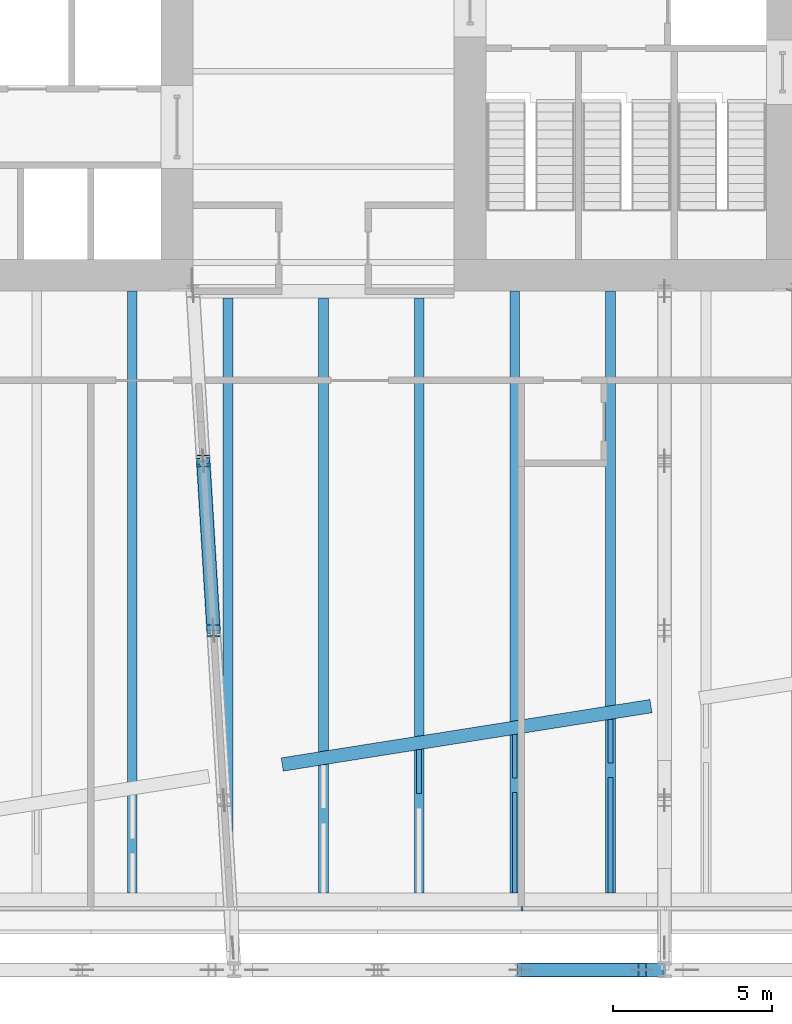
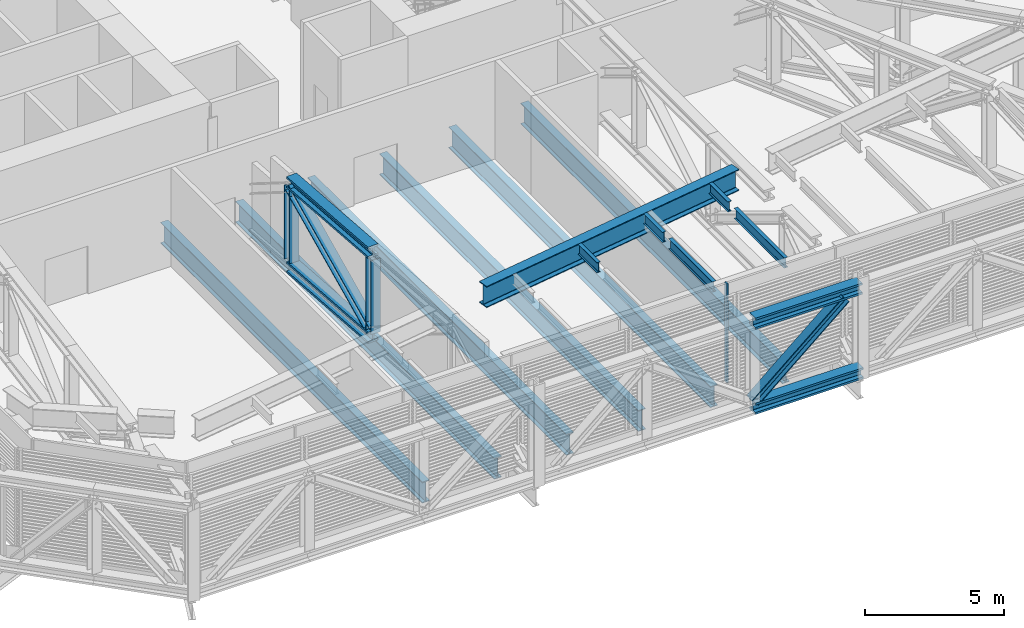
# One storey, part 5 of 31: 16 beams, 5 members, 1 element without a shape of its own.
"""IFC4 building model written with IfcOpenShell, lengths in metres."""

from ifc_helpers import new_model, si_unit, direction, frame, origin, origin_2d, place, context, subcontext, project, spatial, rectangle, i_section, extrude, material, layer, layer_set, material_profile, profile_set, type_object, element, aggregate, save


model = new_model("IFC4")

# Units and contexts
model_context = context("Model", 3, precision=1e-05, world=origin(), true_north=direction((0.0, 1.0)))
body_context = subcontext(model_context, "Body", "Model", "MODEL_VIEW")
ifc_project = project(units=[si_unit("LENGTHUNIT", "METRE"), si_unit("AREAUNIT", "SQUARE_METRE"), si_unit("VOLUMEUNIT", "CUBIC_METRE"), si_unit("PLANEANGLEUNIT", "RADIAN"), si_unit("MASSUNIT", "GRAM", prefix="KILO")], contexts=[model_context])

# Site, building, storey
site_placement = place(None, origin())
site = spatial("IfcSite", under=ifc_project, at=site_placement, CompositionType="ELEMENT")
building_placement = place(site_placement, origin())
building = spatial("IfcBuilding", under=site, at=building_placement, Name="Millrace Tower", CompositionType="ELEMENT")
storey_placement = place(building_placement, frame((0.0, 0.0, 120.39990234375)))
storey = spatial("IfcBuildingStorey", under=building, at=storey_placement, Name="L26", CompositionType="ELEMENT", Elevation=120.39990234375)

# Beams
ifc_material_1 = material(Name="Steel ASTM A992 Grade 50", Category="steel")
ifc_material_profile_1 = material_profile(ifc_material_1, i_section(OverallWidth=0.431884765625, OverallDepth=0.497802734375, WebThickness=0.0556640625, FlangeThickness=0.0888671875, FilletRadius=0.01513671875, at=origin_2d()))
ifc_profile_set_1 = profile_set([ifc_material_profile_1], Name="Steel ASTM A992 Grade 50")
beam_type_1 = type_object("IfcBeamType", Name="Belt truss chord W14x500", PredefinedType="BEAM", material=ifc_profile_set_1)
beam_1_placement = place(storey_placement, frame((6.199951171875, -31.199951171875, 0.2490234375), z_axis=(1.0, 0.0, 0.0), x_axis=(0.0, 1.0, 0.0)))
element("IfcBeam", 1, at=beam_1_placement, inside=storey, type_object=beam_type_1, Name="BLT-L26-R03-B03", PredefinedType="BEAM", context=body_context, shape_type="SweptSolid", body=[
    extrude(i_section(OverallWidth=0.431884765625, OverallDepth=0.497802734375, WebThickness=0.0556640625, FlangeThickness=0.0888671875, FilletRadius=0.01513671875, at=origin_2d()), origin(), (0.0, 0.0, 1.0), 4.5),
])
beam_2_placement = place(storey_placement, frame((6.199951171875, -31.199951171875, 3.9912109375), z_axis=(1.0, 0.0, 0.0), x_axis=(0.0, 1.0, 0.0)))
element("IfcBeam", 2, at=beam_2_placement, inside=storey, type_object=beam_type_1, Name="BLT-L26-R03-T03", PredefinedType="BEAM", context=body_context, shape_type="SweptSolid", body=[
    extrude(i_section(OverallWidth=0.431884765625, OverallDepth=0.497802734375, WebThickness=0.0556640625, FlangeThickness=0.0888671875, FilletRadius=0.01513671875, at=origin_2d()), origin(), (0.0, 0.0, 1.0), 4.45458984375),
])

# Member
ifc_material_2 = material(Name="Steel ASTM A992 Grade 50", Category="steel")
ifc_material_profile_2 = material_profile(ifc_material_2, i_section(OverallWidth=0.4013671875, OverallDepth=0.398681640625, WebThickness=0.02490234375, FlangeThickness=0.03955078125, FilletRadius=0.01513671875, at=origin_2d()))
ifc_profile_set_2 = profile_set([ifc_material_profile_2], Name="Steel ASTM A992 Grade 50")
member_type_1 = type_object("IfcMemberType", Name="Belt truss diagonal W14x211", PredefinedType="BRACE", material=ifc_profile_set_2)
member_1_placement = place(storey_placement, frame((6.199951171875, -31.199951171875, 0.498046875), z_axis=(0.760545081281, 0.0, 0.649285129461), x_axis=(0.0, 1.0, 0.0)))
element("IfcMember", 3, at=member_1_placement, inside=storey, type_object=member_type_1, Name="BLT-L26-R03-D03", PredefinedType="BRACE", context=body_context, shape_type="SweptSolid", body=[
    extrude(i_section(OverallWidth=0.4013671875, OverallDepth=0.398681640625, WebThickness=0.02490234375, FlangeThickness=0.03955078125, FilletRadius=0.01513671875, at=origin_2d()), origin(), (0.0, 0.0, 1.0), 4.99658203125),
])

# Curtain wall, member
ifc_material_3 = material(Name="Aluminium and glass", Category="aluminium")
ifc_layer = layer(ifc_material_3, 0.14990234375)
ifc_layer_set = layer_set([ifc_layer], Name="Aluminium and glass")
curtain_wall_type = type_object("IfcCurtainWallType", Name="CW-5 truss and plant storey louvred infill", PredefinedType="NOTDEFINED", material=ifc_layer_set)
curtain_wall_placement = place(storey_placement, origin())
curtain_wall = element("IfcCurtainWall", 4, at=curtain_wall_placement, inside=storey, type_object=curtain_wall_type, Name="Curtain wall B-F02 L26", PredefinedType="NOTDEFINED")
ifc_material_4 = material(Name="Aluminium", Category="aluminium")
ifc_material_profile_3 = material_profile(ifc_material_4, rectangle(XDim=0.06494140625, YDim=0.14990234375, at=origin_2d()))
ifc_profile_set_3 = profile_set([ifc_material_profile_3], Name="Aluminium")
member_type_2 = type_object("IfcMemberType", Name="CW-5 truss and plant storey louvred infill mullion", PredefinedType="MULLION", material=ifc_profile_set_3)
member_2_placement = place(storey_placement, frame((6.232421875, -29.27490234375, 0.14013671875), z_axis=(0.0, 0.0, 1.0), x_axis=(1.0, 0.0, 0.0)))
member_2 = element("IfcMember", 5, at=member_2_placement, type_object=member_type_2, Name="CW5 mullion B-F02.6", PredefinedType="MULLION", context=body_context, shape_type="SweptSolid", body=[
    extrude(rectangle(XDim=0.06494140625, YDim=0.14990234375, at=origin_2d()), origin(), (0.0, 0.0, 1.0), 4.35986328125),
])
aggregate(curtain_wall, [member_2])

# Beams
ifc_material_5 = material(Name="Steel ASTM A992 Grade 50", Category="steel")
ifc_material_profile_4 = material_profile(ifc_material_5, i_section(OverallWidth=0.15234375, OverallDepth=0.449462890625, WebThickness=0.007568359375, FlangeThickness=0.0107421875, FilletRadius=0.01025390625, at=origin_2d()))
ifc_profile_set_4 = profile_set([ifc_material_profile_4], Name="Steel ASTM A992 Grade 50")
beam_type_2 = type_object("IfcBeamType", Name="Floor beam W18x35", PredefinedType="JOIST", material=ifc_profile_set_4)
beam_3_placement = place(storey_placement, frame((3.0, -25.65625, 4.115234375), z_axis=(0.0, 1.0, 0.0), x_axis=(-1.0, 0.0, 0.0)))
element("IfcBeam", 6, at=beam_3_placement, inside=storey, type_object=beam_type_2, Name="BM-B-L26-R1-S008-b", PredefinedType="JOIST", context=body_context, shape_type="SweptSolid", body=[
    extrude(i_section(OverallWidth=0.15234375, OverallDepth=0.449462890625, WebThickness=0.007568359375, FlangeThickness=0.0107421875, FilletRadius=0.01025390625, at=origin_2d()), origin(), (0.0, 0.0, 1.0), 1.37158203125),
])
beam_4_placement = place(storey_placement, frame((6.0, -28.7783203125, 4.115234375), z_axis=(0.0, 1.0, 0.0), x_axis=(-1.0, 0.0, 0.0)))
element("IfcBeam", 7, at=beam_4_placement, inside=storey, type_object=beam_type_2, Name="BM-B-L26-R1-S009-a", PredefinedType="JOIST", context=body_context, shape_type="SweptSolid", body=[
    extrude(i_section(OverallWidth=0.15234375, OverallDepth=0.449462890625, WebThickness=0.007568359375, FlangeThickness=0.0107421875, FilletRadius=0.01025390625, at=origin_2d()), origin(), (0.0, 0.0, 1.0), 3.14404296875),
])
beam_5_placement = place(storey_placement, frame((6.0, -25.180908203125, 4.115234375), z_axis=(0.0, 1.0, 0.0), x_axis=(-1.0, 0.0, 0.0)))
element("IfcBeam", 8, at=beam_5_placement, inside=storey, type_object=beam_type_2, Name="BM-B-L26-R1-S009-b", PredefinedType="JOIST", context=body_context, shape_type="SweptSolid", body=[
    extrude(i_section(OverallWidth=0.15234375, OverallDepth=0.449462890625, WebThickness=0.007568359375, FlangeThickness=0.0107421875, FilletRadius=0.01025390625, at=origin_2d()), origin(), (0.0, 0.0, 1.0), 1.371337890625),
])
beam_6_placement = place(storey_placement, frame((9.0, -28.7783203125, 4.115234375), z_axis=(0.0, 1.0, 0.0), x_axis=(-1.0, 0.0, 0.0)))
element("IfcBeam", 9, at=beam_6_placement, inside=storey, type_object=beam_type_2, Name="BM-B-L26-R1-S010-a", PredefinedType="JOIST", context=body_context, shape_type="SweptSolid", body=[
    extrude(i_section(OverallWidth=0.15234375, OverallDepth=0.449462890625, WebThickness=0.007568359375, FlangeThickness=0.0107421875, FilletRadius=0.01025390625, at=origin_2d()), origin(), (0.0, 0.0, 1.0), 3.619140625),
])
beam_7_placement = place(storey_placement, frame((9.0, -24.705810546875, 4.115234375), z_axis=(0.0, 1.0, 0.0), x_axis=(-1.0, 0.0, 0.0)))
element("IfcBeam", 10, at=beam_7_placement, inside=storey, type_object=beam_type_2, Name="BM-B-L26-R1-S010-b", PredefinedType="JOIST", context=body_context, shape_type="SweptSolid", body=[
    extrude(i_section(OverallWidth=0.15234375, OverallDepth=0.449462890625, WebThickness=0.007568359375, FlangeThickness=0.0107421875, FilletRadius=0.01025390625, at=origin_2d()), origin(), (0.0, 0.0, 1.0), 1.371337890625),
])
ifc_material_6 = material(Name="Steel ASTM A992 Grade 50", Category="steel")
ifc_material_profile_5 = material_profile(ifc_material_6, i_section(OverallWidth=0.307373046875, OverallDepth=0.927001953125, WebThickness=0.01953125, FlangeThickness=0.031982421875, FilletRadius=0.01904296875, at=origin_2d()))
ifc_profile_set_5 = profile_set([ifc_material_profile_5], Name="Steel ASTM A992 Grade 50")
beam_type_3 = type_object("IfcBeamType", Name="Floor beam W36x194", PredefinedType="JOIST", material=ifc_profile_set_5)
beam_8_placement = place(storey_placement, frame((-6.0, -28.7783203125, -0.71337890625), z_axis=(0.0, 1.0, 0.0), x_axis=(-1.0, 0.0, 0.0)))
element("IfcBeam", 11, at=beam_8_placement, inside=storey, type_object=beam_type_3, Name="BM-B-L26-S1-S045", PredefinedType="JOIST", context=body_context, shape_type="SweptSolid", body=[
    extrude(i_section(OverallWidth=0.307373046875, OverallDepth=0.927001953125, WebThickness=0.01953125, FlangeThickness=0.031982421875, FilletRadius=0.01904296875, at=origin_2d()), origin(), (0.0, 0.0, 1.0), 18.87841796875),
])
for number, where, z_axis, x_axis, name in (
    (12, (-3.0, -28.7783203125, -0.71337890625), (0.0, 1.0, 0.0), (-1.0, 0.0, 0.0), "BM-B-L26-S1-S047"),
    (13, (0.0, -28.7783203125, -0.71337890625), (0.0, 1.0, 0.0), (-1.0, 0.0, 0.0), "BM-B-L26-S1-S049"),
    (14, (3.0, -28.7783203125, -0.71337890625), (0.0, 1.0, 0.0), (-1.0, 0.0, 0.0), "BM-B-L26-S1-S051"),
):
    element("IfcBeam", number, at=place(storey_placement, frame(where, z_axis=z_axis, x_axis=x_axis)), inside=storey, type_object=beam_type_3, Name=name, PredefinedType="JOIST", context=body_context, shape_type="SweptSolid", body=[
        extrude(i_section(OverallWidth=0.307373046875, OverallDepth=0.927001953125, WebThickness=0.01953125, FlangeThickness=0.031982421875, FilletRadius=0.01904296875, at=origin_2d()), origin(), (0.0, 0.0, 1.0), 18.666259765625),
    ])
for number, where, z_axis, x_axis, name in (
    (15, (6.0, -28.7783203125, -0.71337890625), (0.0, 1.0, 0.0), (-1.0, 0.0, 0.0), "BM-B-L26-S1-S053"),
    (16, (9.0, -28.7783203125, -0.71337890625), (0.0, 1.0, 0.0), (-1.0, 0.0, 0.0), "BM-B-L26-S1-S055"),
):
    element("IfcBeam", number, at=place(storey_placement, frame(where, z_axis=z_axis, x_axis=x_axis)), inside=storey, type_object=beam_type_3, Name=name, PredefinedType="JOIST", context=body_context, shape_type="SweptSolid", body=[
        extrude(i_section(OverallWidth=0.307373046875, OverallDepth=0.927001953125, WebThickness=0.01953125, FlangeThickness=0.031982421875, FilletRadius=0.01904296875, at=origin_2d()), origin(), (0.0, 0.0, 1.0), 18.87841796875),
    ])
ifc_material_7 = material(Name="Steel ASTM A992 Grade 50", Category="steel")
ifc_material_profile_6 = material_profile(ifc_material_7, i_section(OverallWidth=0.431884765625, OverallDepth=0.497802734375, WebThickness=0.0556640625, FlangeThickness=0.0888671875, FilletRadius=0.01513671875, at=origin_2d()))
ifc_profile_set_6 = profile_set([ifc_material_profile_6], Name="Steel ASTM A992 Grade 50")
beam_type_4 = type_object("IfcBeamType", Name="Outrigger truss chord W14x500", PredefinedType="BEAM", material=ifc_profile_set_6)
for number, where, z_axis, x_axis, name in (
    (17, (-3.77490234375, -15.22509765625, 0.2490234375), (0.060910944262, -0.99814320459, 0.0), (0.99814320459, 0.060910944262, 0.0), "BLT-L26-O03-B02"),
    (18, (-3.77490234375, -15.22509765625, 3.9912109375), (0.060910944262, -0.99814320459, 0.0), (0.99814320459, 0.060910944262, 0.0), "BLT-L26-O03-T02"),
):
    element("IfcBeam", number, at=place(storey_placement, frame(where, z_axis=z_axis, x_axis=x_axis)), inside=storey, type_object=beam_type_4, Name=name, PredefinedType="BEAM", context=body_context, shape_type="SweptSolid", body=[
        extrude(i_section(OverallWidth=0.431884765625, OverallDepth=0.497802734375, WebThickness=0.0556640625, FlangeThickness=0.0888671875, FilletRadius=0.01513671875, at=origin_2d()), origin(), (0.0, 0.0, 1.0), 5.3349609375),
    ])

# Members
ifc_material_8 = material(Name="Steel ASTM A992 Grade 50", Category="steel")
ifc_material_profile_7 = material_profile(ifc_material_8, i_section(OverallWidth=0.4013671875, OverallDepth=0.398681640625, WebThickness=0.02490234375, FlangeThickness=0.03955078125, FilletRadius=0.01513671875, at=origin_2d()))
ifc_profile_set_7 = profile_set([ifc_material_profile_7], Name="Steel ASTM A992 Grade 50")
member_type_3 = type_object("IfcMemberType", Name="Outrigger truss diagonal W14x211", PredefinedType="BRACE", material=ifc_profile_set_7)
member_3_placement = place(storey_placement, frame((-3.449951171875, -20.550048828125, 0.498046875), z_axis=(-0.052043742742, 0.852837019487, 0.519577200263), x_axis=(-0.99814320459, -0.060910944262, 0.0)))
element("IfcMember", 19, at=member_3_placement, inside=storey, type_object=member_type_3, Name="BLT-L26-O03-D02", PredefinedType="BRACE", context=body_context, shape_type="SweptSolid", body=[
    extrude(i_section(OverallWidth=0.4013671875, OverallDepth=0.398681640625, WebThickness=0.02490234375, FlangeThickness=0.03955078125, FilletRadius=0.01513671875, at=origin_2d()), origin(), (0.0, 0.0, 1.0), 6.243896484375),
])
ifc_material_9 = material(Name="Steel ASTM A992 Grade 50", Category="steel")
ifc_material_profile_8 = material_profile(ifc_material_9, i_section(OverallWidth=0.398681640625, OverallDepth=0.385986328125, WebThickness=0.02099609375, FlangeThickness=0.033203125, FilletRadius=0.01513671875, at=origin_2d()))
ifc_profile_set_8 = profile_set([ifc_material_profile_8], Name="Steel ASTM A992 Grade 50")
member_type_4 = type_object("IfcMemberType", Name="Outrigger truss post W14x176", PredefinedType="POST", material=ifc_profile_set_8)
for number, where, z_axis, x_axis, name in (
    (20, (-3.77490234375, -15.22509765625, 0.498046875), (0.0, 0.0, 1.0), (1.0, 0.0, 0.0), "BLT-L26-O03-V01"),
    (21, (-3.449951171875, -20.550048828125, 0.498046875), (0.0, 0.0, 1.0), (1.0, 0.0, 0.0), "BLT-L26-O03-V02"),
):
    element("IfcMember", number, at=place(storey_placement, frame(where, z_axis=z_axis, x_axis=x_axis)), inside=storey, type_object=member_type_4, Name=name, PredefinedType="POST", context=body_context, shape_type="SweptSolid", body=[
        extrude(i_section(OverallWidth=0.398681640625, OverallDepth=0.385986328125, WebThickness=0.02099609375, FlangeThickness=0.033203125, FilletRadius=0.01513671875, at=origin_2d()), origin(), (0.0, 0.0, 1.0), 3.244140625),
    ])

# Beam
ifc_material_10 = material(Name="Steel ASTM A992 Grade 50", Category="steel")
ifc_material_profile_9 = material_profile(ifc_material_10, i_section(OverallWidth=0.421630859375, OverallDepth=0.937255859375, WebThickness=0.021240234375, FlangeThickness=0.03662109375, FilletRadius=0.024169921875, at=origin_2d()))
ifc_profile_set_9 = profile_set([ifc_material_profile_9], Name="Steel ASTM A992 Grade 50")
beam_type_5 = type_object("IfcBeamType", Name="Ring beam short span W36x262", PredefinedType="SPANDREL", material=ifc_profile_set_9)
beam_9_placement = place(storey_placement, frame((-1.29638671875, -24.751708984375, 3.87158203125), z_axis=(0.98769053108, 0.156420634235, 0.0), x_axis=(-0.156420634235, 0.98769053108, 0.0)))
element("IfcBeam", 22, at=beam_9_placement, inside=storey, type_object=beam_type_5, Name="RNG-B-L26-R1-09-b-a", PredefinedType="SPANDREL", context=body_context, shape_type="SweptSolid", body=[
    extrude(i_section(OverallWidth=0.421630859375, OverallDepth=0.937255859375, WebThickness=0.021240234375, FlangeThickness=0.03662109375, FilletRadius=0.024169921875, at=origin_2d()), origin(), (0.0, 0.0, 1.0), 11.7138671875),
])

save(model, "model.ifc")
